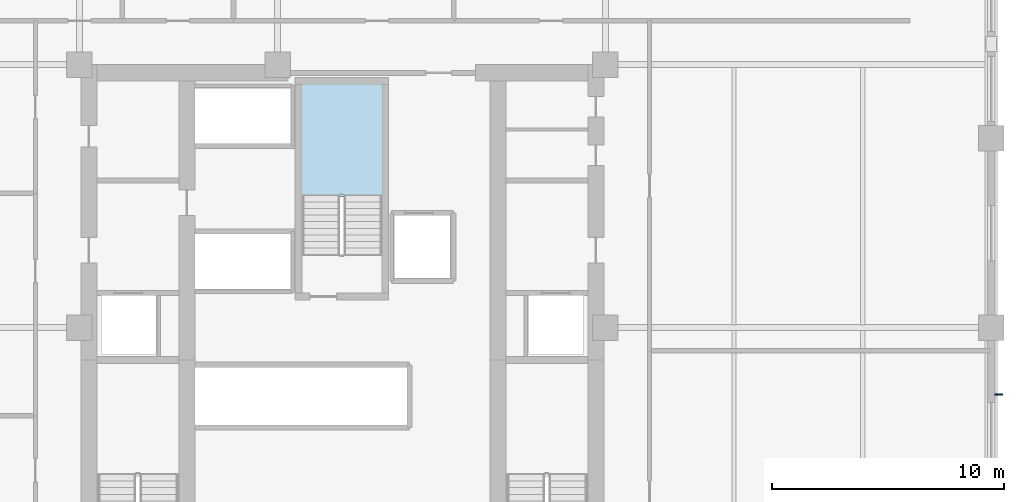
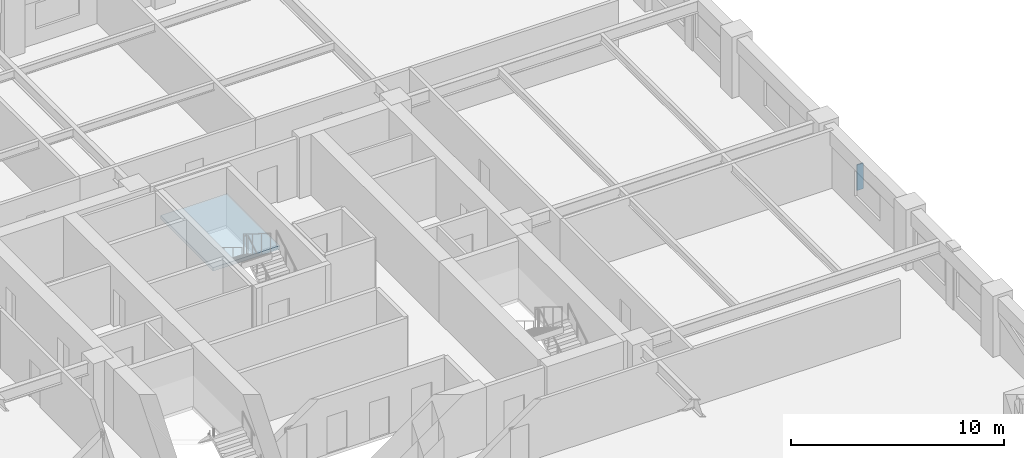
# One storey, part 4 of 9: 1 plate, 1 slab, 1 element without a shape of its own.
"""IFC4 building model written with IfcOpenShell, lengths in metres."""

import ifcopenshell
import ifcopenshell.guid

model = None  # the IFC model being written
_history = None  # IfcOwnerHistory: only IFC2X3 demands one
_inside = {}  # id of a spatial element -> (the spatial element, [elements in it])
_under = {}  # id of a project, library or spatial element -> (it, [spatial elements below it])
_declared = {}  # id of a project -> (the project, [libraries it declares])
_typed = {}  # id of a type object -> (the type object, [elements of that type])
_made_of = {}  # id of a material, layer set ... -> (it, [elements and type objects made of it])


def new_model(schema):
    """Start an empty IFC model of exactly this schema.

    Asked for "IFC4X3", IfcOpenShell would pick the latest addendum, in which some entities
    have other attributes; the version numbers below select the first issue.
    IFC2X3 requires an IfcOwnerHistory on every rooted entity: one is made here for all.
    """
    global model, _history
    if schema == "IFC4X3":
        model = ifcopenshell.file(schema_version=(4, 3, 0, 0))
    else:
        model = ifcopenshell.file(schema=schema)
    _inside.clear()
    _under.clear()
    _declared.clear()
    _typed.clear()
    _made_of.clear()
    _history = None
    if model.schema == "IFC2X3":
        org = make("IfcOrganization", Name="unknown")
        user = make(
            "IfcPersonAndOrganization",
            ThePerson=make("IfcPerson", FamilyName="unknown"),
            TheOrganization=org,
        )
        app = make(
            "IfcApplication",
            ApplicationDeveloper=org,
            Version="unknown",
            ApplicationFullName="unknown",
            ApplicationIdentifier="unknown",
        )
        _history = make(
            "IfcOwnerHistory",
            OwningUser=user,
            OwningApplication=app,
            ChangeAction="ADDED",
            CreationDate=0,
        )
    return model


def make(cls, **values):
    """One entity of the class cls with the attributes given. An attribute that is None is left unset."""
    return model.create_entity(
        cls, **{name: value for name, value in values.items() if value is not None}
    )


def rooted(cls, **values):
    """An entity with a GlobalId (a new one), such as an element, a storey or a relation."""
    return make(cls, GlobalId=ifcopenshell.guid.new(), OwnerHistory=_history, **values)


def si_unit(unit_type, name, prefix=None):
    """IfcSIUnit, for example si_unit("LENGTHUNIT", "METRE", prefix="MILLI")."""
    return make("IfcSIUnit", UnitType=unit_type, Prefix=prefix, Name=name)


def assignment(units):
    """IfcUnitAssignment: the units of a project."""
    return None if units is None else make("IfcUnitAssignment", Units=units)


def point(xyz):
    """IfcCartesianPoint."""
    return None if xyz is None else make("IfcCartesianPoint", Coordinates=xyz)


def direction(xyz):
    """IfcDirection."""
    return None if xyz is None else make("IfcDirection", DirectionRatios=xyz)


def frame(location, z_axis=None, x_axis=None):
    """IfcAxis2Placement3D, a coordinate frame: its origin and axes. An axis left out is left unset."""
    return make(
        "IfcAxis2Placement3D",
        Location=point(location),
        Axis=direction(z_axis),
        RefDirection=direction(x_axis),
    )


def frame_2d(location, x_axis=None):
    """IfcAxis2Placement2D, a coordinate frame in the plane: its origin and x axis."""
    return make(
        "IfcAxis2Placement2D", Location=point(location), RefDirection=direction(x_axis)
    )


def origin():
    """The frame at (0, 0, 0) with its axes left unset."""
    return frame((0.0, 0.0, 0.0))


def origin_2d():
    """The frame at (0, 0) in the plane with its x axis left unset."""
    return frame_2d((0.0, 0.0))


def place(relative_to, where):
    """IfcLocalPlacement: puts the frame where relative to a parent placement (None: the world)."""
    return make(
        "IfcLocalPlacement", PlacementRelTo=relative_to, RelativePlacement=where
    )


def context(
    kind, dimensions, precision=None, world=None, true_north=None, identifier=None
):
    """IfcGeometricRepresentationContext, for example the 3D "Model" context."""
    return make(
        "IfcGeometricRepresentationContext",
        ContextIdentifier=identifier,
        ContextType=kind,
        CoordinateSpaceDimension=dimensions,
        Precision=precision,
        WorldCoordinateSystem=world,
        TrueNorth=true_north,
    )


def subcontext(parent, identifier, kind, view, scale=None):
    """IfcGeometricRepresentationSubContext, for example "Body" below "Model"."""
    return make(
        "IfcGeometricRepresentationSubContext",
        ContextIdentifier=identifier,
        ContextType=kind,
        ParentContext=parent,
        TargetScale=scale,
        TargetView=view,
    )


def project(units=None, contexts=None):
    """IfcProject with its units and contexts."""
    return rooted(
        "IfcProject",
        Name="project",
        RepresentationContexts=contexts,
        UnitsInContext=assignment(units),
    )


def spatial(cls, under=None, at=None, **own):
    """A site, building, storey or space (cls), placed at a placement, below another one or the project."""
    s = rooted(cls, ObjectPlacement=at, **own)
    if under is not None:
        _under.setdefault(under.id(), (under, []))[1].append(s)
    return s


def polyline(points):
    """IfcPolyline through the points."""
    return make("IfcPolyline", Points=[point(p) for p in points])


def profile(cls, at=None, kind="AREA", **sizes):
    """A parametric profile (cls). Its sizes go by their IFC names, for example OverallWidth=200.0."""
    return make(cls, ProfileType=kind, Position=at, **sizes)


def rectangle(**sizes):
    """IfcRectangleProfileDef."""
    return profile("IfcRectangleProfileDef", **sizes)


def outline(outer, holes=None, kind="AREA"):
    """IfcArbitraryClosedProfileDef: a profile drawn as a closed curve; with holes, ...WithVoids."""
    if holes is None:
        return make("IfcArbitraryClosedProfileDef", ProfileType=kind, OuterCurve=outer)
    return make(
        "IfcArbitraryProfileDefWithVoids",
        ProfileType=kind,
        OuterCurve=outer,
        InnerCurves=holes,
    )


def extrude(swept, where, along, depth):
    """IfcExtrudedAreaSolid: the profile swept, set in the frame where, extruded along a direction by depth."""
    return make(
        "IfcExtrudedAreaSolid",
        SweptArea=swept,
        Position=where,
        ExtrudedDirection=direction(along),
        Depth=depth,
    )


def shape(context_of_items, identifier, shape_type, items):
    """IfcShapeRepresentation: the items that make up one representation, for example the "Body"."""
    return make(
        "IfcShapeRepresentation",
        ContextOfItems=context_of_items,
        RepresentationIdentifier=identifier,
        RepresentationType=shape_type,
        Items=items,
    )


def material(Name=None, Category=None):
    """IfcMaterial."""
    return make("IfcMaterial", Name=Name, Category=Category)


def layer(
    of_material, thickness, ventilated=None, Name=None, Category=None, Priority=None
):
    """IfcMaterialLayer: one layer of a wall or slab, of a material (None: an air gap)."""
    return make(
        "IfcMaterialLayer",
        Material=of_material,
        LayerThickness=thickness,
        IsVentilated=ventilated,
        Name=Name,
        Category=Category,
        Priority=Priority,
    )


def layer_set(layers, Name=None):
    """IfcMaterialLayerSet."""
    return make("IfcMaterialLayerSet", MaterialLayers=layers, LayerSetName=Name)


def made_of(thing, what):
    """Note that an element or type object is made of a material, layer set ...; save() writes the relation."""
    if what is not None:
        _made_of.setdefault(what.id(), (what, []))[1].append(thing)
    return thing


def type_object(cls, material=None, **own):
    """A type object (cls), such as IfcWallType, which elements share."""
    return made_of(rooted(cls, **own), material)


def element(
    cls,
    number,
    at=None,
    inside=None,
    cuts=None,
    type_object=None,
    material=None,
    context=None,
    identifier="Body",
    shape_type=None,
    held_by="IfcProductDefinitionShape",
    body=None,
    shapes=None,
    **own,
):
    """One element of the class cls, such as IfcWall. Its Tag is "e" and its number.

    at: its placement. inside: the storey or other place that contains it. cuts: it is an
    opening in that element (IfcRelVoidsElement). A single representation is given by context,
    identifier, shape_type and body (its items); several are given by shapes. held_by: the class
    of the entity that holds the representations. save() writes the other relations.
    """
    e = rooted(cls, Tag="e%d" % number, ObjectPlacement=at, **own)
    if body is not None:
        shapes = [shape(context, identifier, shape_type, body)]
    if shapes is not None:
        e.Representation = make(held_by, Representations=shapes)
    if inside is not None:
        _inside.setdefault(inside.id(), (inside, []))[1].append(e)
    if cuts is not None:
        rooted(
            "IfcRelVoidsElement", RelatingBuildingElement=cuts, RelatedOpeningElement=e
        )
    if type_object is not None:
        _typed.setdefault(type_object.id(), (type_object, []))[1].append(e)
    return made_of(e, material)


def aggregate(whole, parts):
    """IfcRelAggregates: a whole, such as a stair, and the parts it consists of."""
    return rooted("IfcRelAggregates", RelatingObject=whole, RelatedObjects=parts)


def save(model, path):
    """Write the relations noted so far, then the file.

    IfcRelAggregates (storeys below a building ...), IfcRelContainedInSpatialStructure (elements
    in a storey), IfcRelDefinesByType, IfcRelAssociatesMaterial and IfcRelDeclares: one each for
    every whole, place, type object, material and project.
    """
    for whole, parts in _under.values():
        aggregate(whole, parts)
    for where, things in _inside.values():
        rooted(
            "IfcRelContainedInSpatialStructure",
            RelatedElements=things,
            RelatingStructure=where,
        )
    for kind, things in _typed.values():
        rooted("IfcRelDefinesByType", RelatedObjects=things, RelatingType=kind)
    for what, things in _made_of.values():
        rooted("IfcRelAssociatesMaterial", RelatedObjects=things, RelatingMaterial=what)
    for by, libraries in _declared.values():
        rooted("IfcRelDeclares", RelatingContext=by, RelatedDefinitions=libraries)
    model.write(path)


model = new_model("IFC4")

# Units and contexts
model_context = context("Model", 3, precision=1e-05, world=origin(), true_north=direction((0.0, 1.0)))
body_context = subcontext(model_context, "Body", "Model", "MODEL_VIEW")
ifc_project = project(units=[si_unit("LENGTHUNIT", "METRE"), si_unit("AREAUNIT", "SQUARE_METRE"), si_unit("VOLUMEUNIT", "CUBIC_METRE"), si_unit("PLANEANGLEUNIT", "RADIAN"), si_unit("MASSUNIT", "GRAM", prefix="KILO")], contexts=[model_context])

# Site, building, storey
site_placement = place(None, origin())
site = spatial("IfcSite", under=ifc_project, at=site_placement, CompositionType="ELEMENT")
building_placement = place(site_placement, origin())
building = spatial("IfcBuilding", under=site, at=building_placement, Name="Nhamokura Convention Tower", CompositionType="ELEMENT")
storey_placement = place(building_placement, frame((0.0, 0.0, 85.75)))
storey = spatial("IfcBuildingStorey", under=building, at=storey_placement, Name="L20", CompositionType="ELEMENT", Elevation=85.75)

# Plate
ifc_material_1 = material(Name="Anodised bronze aluminium AA6063-T6", Category="aluminium")
plate_type = type_object("IfcPlateType", Name="BronzeSolarFin_1", PredefinedType="USERDEFINED", material=ifc_material_1)
plate_placement = place(storey_placement, frame((60.330078125, 29.11669921875, 0.85009765625), z_axis=(0.0, 0.0, 1.0), x_axis=(1.0, 0.0, 0.0)))
element("IfcPlate", 1, at=plate_placement, inside=storey, type_object=plate_type, Name="L20 Bronze Solar Shading Fin EAST 2", ObjectType="SOLAR_FIN", PredefinedType="USERDEFINED", context=body_context, shape_type="SweptSolid", body=[
    extrude(rectangle(XDim=0.340087890625, YDim=0.06005859375, at=origin_2d()), origin(), (0.0, 0.0, 1.0), 1.469970703125),
])

# Stair, slab
ifc_material_2 = material(Name="Concrete C40/50", Category="concrete")
stair_type = type_object("IfcStairType", Name="TowerCoreStair_1650", PredefinedType="HALF_TURN_STAIR", material=ifc_material_2)
stair_placement = place(storey_placement, origin())
stair = element("IfcStair", 2, at=stair_placement, inside=storey, type_object=stair_type, Name="L20 North Core Smokeproof Stair ST-03", PredefinedType="HALF_TURN_STAIR")
ifc_material_3 = material(Name="Concrete C40/50", Category="concrete")
ifc_layer = layer(ifc_material_3, 0.199951171875)
ifc_layer_set = layer_set([ifc_layer], Name="StairLandingSlab_200")
slab_type = type_object("IfcSlabType", Name="StairLandingSlab_200", PredefinedType="LANDING", material=ifc_layer_set)
slab_placement = place(storey_placement, frame((0.0, 0.0, 1.550048828125)))
slab = element("IfcSlab", 3, at=slab_placement, type_object=slab_type, Name="ST-03 landing 1", PredefinedType="LANDING", context=body_context, shape_type="SweptSolid", body=[
    extrude(outline(polyline([(33.780029296875, 37.635009765625), (33.780029296875, 42.580078125), (30.169921875, 42.580078125), (30.169921875, 37.635009765625), (33.780029296875, 37.635009765625)])), origin(), (0.0, 0.0, 1.0), 0.199951171875),
])
aggregate(stair, [slab])

save(model, "model.ifc")
